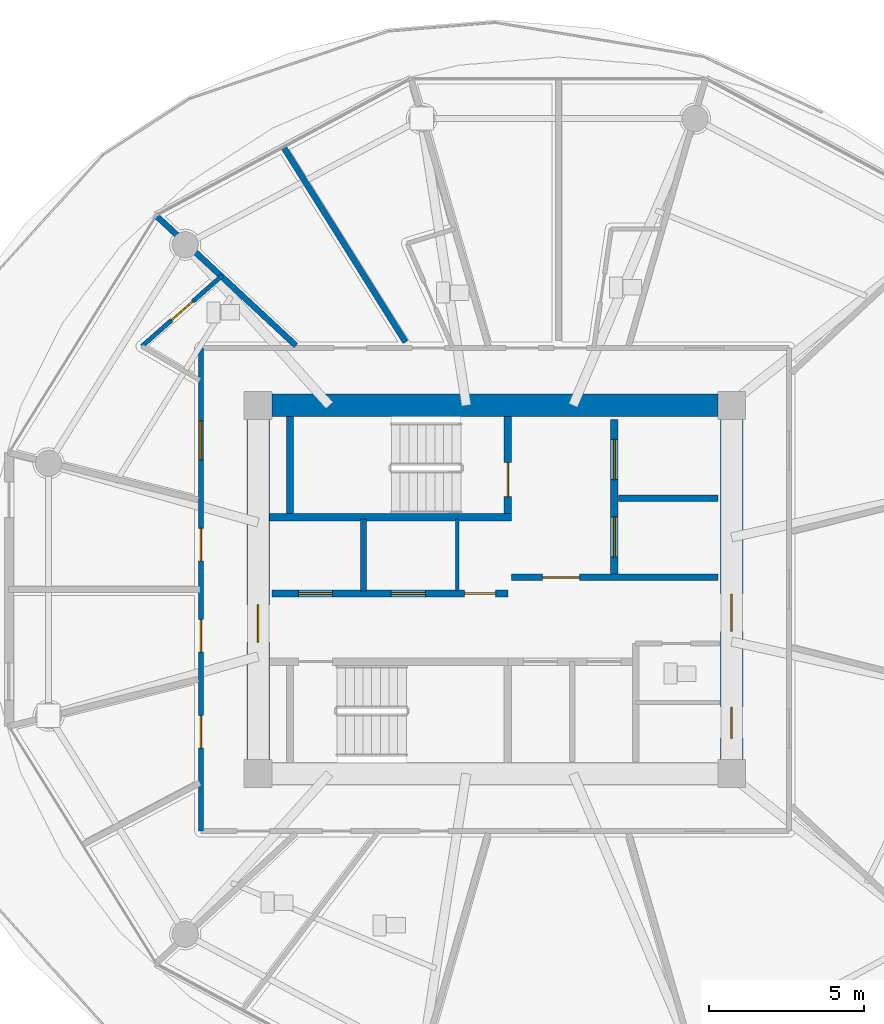
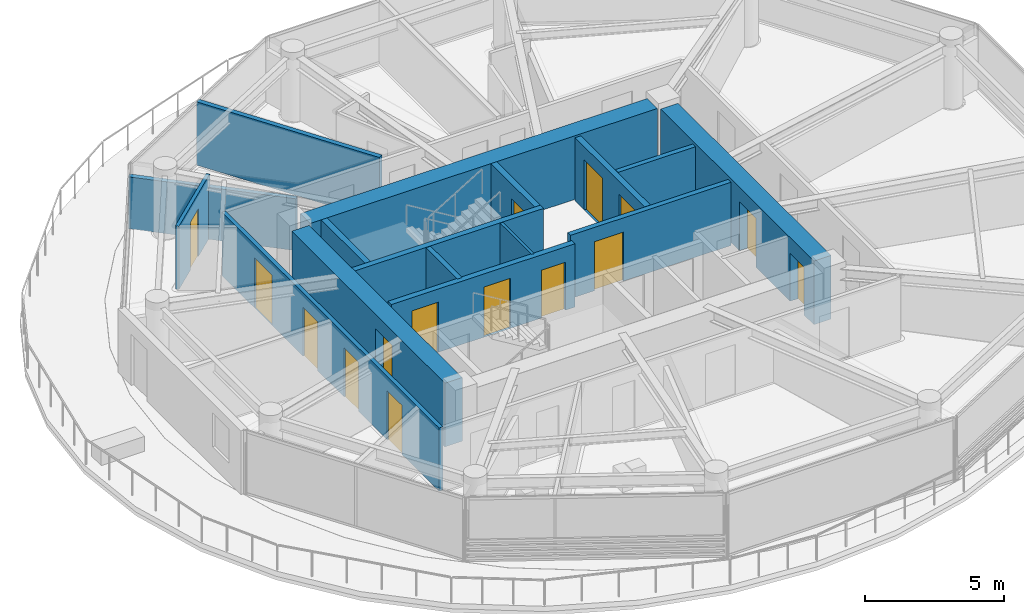
# One storey, part 16 of 32: 16 walls, 15 doors, 15 openings.
"""IFC4 building model written with IfcOpenShell, lengths in metres."""

from ifc_helpers import new_model, si_unit, direction, frame, frame_2d, origin, place, context, subcontext, project, spatial, rectangle, extrude, source, transform, mapped, material, layer, layer_set, type_object, type_shapes, element, fill, save


model = new_model("IFC4")

# Units and contexts
model_context = context("Model", 3, precision=1e-05, world=origin(), true_north=direction((0.0, 1.0)))
body_context = subcontext(model_context, "Body", "Model", "MODEL_VIEW")
ifc_project = project(units=[si_unit("LENGTHUNIT", "METRE"), si_unit("AREAUNIT", "SQUARE_METRE"), si_unit("VOLUMEUNIT", "CUBIC_METRE"), si_unit("PLANEANGLEUNIT", "RADIAN"), si_unit("MASSUNIT", "GRAM", prefix="KILO")], contexts=[model_context])

# Site, building, storey
site_placement = place(None, origin())
site = spatial("IfcSite", under=ifc_project, at=site_placement, CompositionType="ELEMENT")
building_placement = place(site_placement, origin())
building = spatial("IfcBuilding", under=site, at=building_placement, Name="Norrkilde Senior Care Towers", CompositionType="ELEMENT")
storey_placement = place(building_placement, frame((0.0, 0.0, 77.949951171875)))
storey = spatial("IfcBuildingStorey", under=building, at=storey_placement, Name="L23", CompositionType="ELEMENT", Elevation=77.949951171875)

# Wall
ifc_material_1 = material(Name="Concrete C60/75", Category="concrete")
ifc_layer_1 = layer(ifc_material_1, 0.719970703125)
ifc_layer_set_1 = layer_set([ifc_layer_1], Name="Concrete C60/75")
wall_type_1 = type_object("IfcWallType", Name="Core Shear Wall Z2 720", PredefinedType="SHEAR", material=ifc_layer_set_1)
shared_shape_1 = source(origin(), body_context, "Body", "SweptSolid", [
    extrude(rectangle(XDim=14.39990234375, YDim=0.719970703125, at=frame_2d((7.199951171875, 0.0))), origin(), (0.0, 0.0, 1.0), 2.7900390625),
])
wall_1_placement = place(storey_placement, frame((-35.199951171875, 5.949951171875, 0.0), z_axis=(0.0, 0.0, 1.0), x_axis=(1.0, 0.0, 0.0)))
element("IfcWall", 1, at=wall_1_placement, inside=storey, type_object=wall_type_1, Name="L23 Core W North Shear Wall", PredefinedType="SHEAR", context=body_context, shape_type="MappedRepresentation", body=[
    mapped(shared_shape_1, transform((0.0, 0.0, 0.0), x_axis=(1.0, 0.0, 0.0), y_axis=(0.0, 1.0, 0.0), z_axis=(0.0, 0.0, 1.0), scale=1.0)),
])

# Wall, opening, door
shared_shape_2 = source(origin(), body_context, "Body", "SweptSolid", [
    extrude(rectangle(XDim=11.0, YDim=0.719970703125, at=frame_2d((5.5, 0.0))), origin(), (0.0, 0.0, 1.0), 2.7900390625),
])
type_shapes(wall_type_1, [shared_shape_1, shared_shape_2])
wall_2_placement = place(storey_placement, frame((-35.64990234375, -5.5, 0.0), z_axis=(0.0, 0.0, 1.0), x_axis=(0.0, 1.0, 0.0)))
wall_2 = element("IfcWall", 2, at=wall_2_placement, inside=storey, type_object=wall_type_1, Name="L23 Core W West Shear Wall", PredefinedType="SHEAR", context=body_context, shape_type="MappedRepresentation", body=[
    mapped(shared_shape_2, transform((0.0, 0.0, 0.0), x_axis=(1.0, 0.0, 0.0), y_axis=(0.0, 1.0, 0.0), z_axis=(0.0, 0.0, 1.0), scale=1.0)),
])
opening_1_placement = place(wall_2_placement, frame((3.800048828125, 0.0, 0.0)))
opening_1 = element("IfcOpeningElement", 3, at=opening_1_placement, cuts=wall_2, Name="Opening D-04", PredefinedType="OPENING", context=body_context, shape_type="SweptSolid", body=[
    extrude(rectangle(XDim=1.199951171875, YDim=2.14990234375, at=frame_2d((0.60009765625, 1.074951171875))), frame((0.0, 0.369873046875, 0.0), z_axis=(0.0, -1.0, 0.0), x_axis=(1.0, 0.0, 0.0)), (0.0, 0.0, 1.0), 0.739990234375),
])
ifc_material_2 = material(Name="Galvanised Painted Steel", Category="steel")
door_type_1 = type_object("IfcDoorType", Name="Firefighting Lobby Fire Door 1200x2150", OperationType="NOTDEFINED", PredefinedType="DOOR", material=ifc_material_2)
shared_shape_3 = source(origin(), body_context, "Body", "SweptSolid", [
    extrude(rectangle(XDim=1.199951171875, YDim=2.14990234375, at=frame_2d((0.60009765625, 1.074951171875))), frame((0.0, 0.02490234375, 0.0), z_axis=(0.0, -1.0, 0.0), x_axis=(1.0, 0.0, 0.0)), (0.0, 0.0, 1.0), 0.050048828125),
])
type_shapes(door_type_1, [shared_shape_3])
door_1_placement = place(opening_1_placement, frame((1.199951171875, 0.0, 0.0), z_axis=(0.0, 0.0, 1.0), x_axis=(-1.0, 0.0, 0.0)))
door_1 = element("IfcDoor", 4, at=door_1_placement, inside=storey, type_object=door_type_1, Name="L23 Core W West Portal Door", OperationType="SINGLE_SWING_LEFT", OverallHeight=2.14990234375, OverallWidth=1.199951171875, PredefinedType="DOOR", context=body_context, shape_type="MappedRepresentation", body=[
    mapped(shared_shape_3, transform((0.0, 0.0, 0.0), x_axis=(1.0, 0.0, 0.0), y_axis=(0.0, 1.0, 0.0), z_axis=(0.0, 0.0, 1.0), scale=1.0)),
])
fill(opening_1, door_1)

# Wall, openings, doors
wall_3_placement = place(storey_placement, frame((-20.35009765625, 5.5, 0.0), z_axis=(0.0, 0.0, 1.0), x_axis=(0.0, -1.0, 0.0)))
wall_3 = element("IfcWall", 5, at=wall_3_placement, inside=storey, type_object=wall_type_1, Name="L23 Core W East Shear Wall", PredefinedType="SHEAR", context=body_context, shape_type="MappedRepresentation", body=[
    mapped(shared_shape_2, transform((0.0, 0.0, 0.0), x_axis=(1.0, 0.0, 0.0), y_axis=(0.0, 1.0, 0.0), z_axis=(0.0, 0.0, 1.0), scale=1.0)),
])
opening_2_placement = place(wall_3_placement, frame((5.64990234375, 0.0, 0.0)))
opening_2 = element("IfcOpeningElement", 6, at=opening_2_placement, cuts=wall_3, Name="Opening D-04", PredefinedType="OPENING", context=body_context, shape_type="SweptSolid", body=[
    extrude(rectangle(XDim=1.199951171875, YDim=2.14990234375, at=frame_2d((0.60009765625, 1.074951171875))), frame((0.0, 0.369873046875, 0.0), z_axis=(0.0, -1.0, 0.0), x_axis=(1.0, 0.0, 0.0)), (0.0, 0.0, 1.0), 0.739990234375),
])
opening_3_placement = place(wall_3_placement, frame((9.300048828125, 0.0, 0.0)))
opening_3 = element("IfcOpeningElement", 7, at=opening_3_placement, cuts=wall_3, Name="Opening D-10", PredefinedType="OPENING", context=body_context, shape_type="SweptSolid", body=[
    extrude(rectangle(XDim=1.0, YDim=2.10009765625, at=frame_2d((0.5, 1.050048828125))), frame((0.0, 0.369873046875, 0.0), z_axis=(0.0, -1.0, 0.0), x_axis=(1.0, 0.0, 0.0)), (0.0, 0.0, 1.0), 0.739990234375),
])
door_2_placement = place(opening_2_placement, frame((1.199951171875, 0.0, 0.0), z_axis=(0.0, 0.0, 1.0), x_axis=(-1.0, 0.0, 0.0)))
door_2 = element("IfcDoor", 8, at=door_2_placement, inside=storey, type_object=door_type_1, Name="L23 Core W East Portal Door", OperationType="SINGLE_SWING_RIGHT", OverallHeight=2.14990234375, OverallWidth=1.199951171875, PredefinedType="DOOR", context=body_context, shape_type="MappedRepresentation", body=[
    mapped(shared_shape_3, transform((0.0, 0.0, 0.0), x_axis=(1.0, 0.0, 0.0), y_axis=(0.0, 1.0, 0.0), z_axis=(0.0, 0.0, 1.0), scale=1.0)),
])
fill(opening_2, door_2)
door_type_2 = type_object("IfcDoorType", Name="Plant and Riser Rated Door 1000x2100", OperationType="NOTDEFINED", PredefinedType="DOOR", material=ifc_material_2)
shared_shape_4 = source(origin(), body_context, "Body", "SweptSolid", [
    extrude(rectangle(XDim=1.0, YDim=2.10009765625, at=frame_2d((0.5, 1.050048828125))), frame((0.0, 0.02490234375, 0.0), z_axis=(0.0, -1.0, 0.0), x_axis=(1.0, 0.0, 0.0)), (0.0, 0.0, 1.0), 0.050048828125),
])
type_shapes(door_type_2, [shared_shape_4])
door_3_placement = place(opening_3_placement, frame((1.0, 0.0, 0.0), z_axis=(0.0, 0.0, 1.0), x_axis=(-1.0, 0.0, 0.0)))
door_3 = element("IfcDoor", 9, at=door_3_placement, inside=storey, type_object=door_type_2, Name="L23 Ventilation Riser W Door", OperationType="SINGLE_SWING_RIGHT", OverallHeight=2.10009765625, OverallWidth=1.0, PredefinedType="DOOR", context=body_context, shape_type="MappedRepresentation", body=[
    mapped(shared_shape_4, transform((0.0, 0.0, 0.0), x_axis=(1.0, 0.0, 0.0), y_axis=(0.0, 1.0, 0.0), z_axis=(0.0, 0.0, 1.0), scale=1.0)),
])
fill(opening_3, door_3)

ifc_material_3 = material(Name="Concrete C45/55", Category="concrete")
ifc_layer_2 = layer(ifc_material_3, 0.239990234375)
ifc_layer_set_2 = layer_set([ifc_layer_2], Name="Concrete C45/55")
wall_type_2 = type_object("IfcWallType", Name="Lift and Plant Rated Enclosure Partition 240", PredefinedType="PARTITIONING", material=ifc_layer_set_2)
shared_shape_5 = source(origin(), body_context, "Body", "SweptSolid", [
    extrude(rectangle(XDim=5.0, YDim=0.239990234375, at=frame_2d((2.5, 0.0))), origin(), (0.0, 0.0, 1.0), 2.775146484375),
])
wall_4_placement = place(storey_placement, frame((-24.139892578125, 0.5, 0.0), z_axis=(0.0, 0.0, 1.0), x_axis=(0.0, 1.0, 0.0)))
wall_4 = element("IfcWall", 10, at=wall_4_placement, inside=storey, type_object=wall_type_2, Name="WL-INT-L23-W-FFLE", PredefinedType="PARTITIONING", context=body_context, shape_type="MappedRepresentation", body=[
    mapped(shared_shape_5, transform((0.0, 0.0, 0.0), x_axis=(1.0, 0.0, 0.0), y_axis=(0.0, 1.0, 0.0), z_axis=(0.0, 0.0, 1.0), scale=1.0)),
])
opening_4_placement = place(wall_4_placement, frame((3.050048828125, 0.0, 0.0)))
opening_4 = element("IfcOpeningElement", 11, at=opening_4_placement, cuts=wall_4, Name="Opening LD-02", PredefinedType="OPENING", context=body_context, shape_type="SweptSolid", body=[
    extrude(rectangle(XDim=1.300048828125, YDim=2.199951171875, at=frame_2d((0.64990234375, 1.10009765625))), frame((0.0, 0.1298828125, 0.0), z_axis=(0.0, -1.0, 0.0), x_axis=(1.0, 0.0, 0.0)), (0.0, 0.0, 1.0), 0.260009765625),
])
opening_5_placement = place(wall_4_placement, frame((0.550048828125, 0.0, 0.0)))
opening_5 = element("IfcOpeningElement", 12, at=opening_5_placement, cuts=wall_4, Name="Opening LD-02", PredefinedType="OPENING", context=body_context, shape_type="SweptSolid", body=[
    extrude(rectangle(XDim=1.300048828125, YDim=2.199951171875, at=frame_2d((0.64990234375, 1.10009765625))), frame((0.0, 0.1298828125, 0.0), z_axis=(0.0, -1.0, 0.0), x_axis=(1.0, 0.0, 0.0)), (0.0, 0.0, 1.0), 0.260009765625),
])
ifc_material_4 = material(Name="Stainless Steel", Category="steel")
door_type_3 = type_object("IfcDoorType", Name="Stretcher and FFL Landing Sliding Door 1300x2200", OperationType="NOTDEFINED", PredefinedType="DOOR", material=ifc_material_4)
shared_shape_6 = source(origin(), body_context, "Body", "SweptSolid", [
    extrude(rectangle(XDim=1.300048828125, YDim=2.199951171875, at=frame_2d((0.64990234375, 1.10009765625))), frame((0.0, 0.02490234375, 0.0), z_axis=(0.0, -1.0, 0.0), x_axis=(1.0, 0.0, 0.0)), (0.0, 0.0, 1.0), 0.050048828125),
])
type_shapes(door_type_3, [shared_shape_6])
door_4_placement = place(opening_4_placement, origin())
door_4 = element("IfcDoor", 13, at=door_4_placement, inside=storey, type_object=door_type_3, Name="L23 Firefighting Lift W1 Landing Door", OperationType="SLIDING_TO_LEFT", OverallHeight=2.199951171875, OverallWidth=1.300048828125, PredefinedType="DOOR", context=body_context, shape_type="MappedRepresentation", body=[
    mapped(shared_shape_6, transform((0.0, 0.0, 0.0), x_axis=(1.0, 0.0, 0.0), y_axis=(0.0, 1.0, 0.0), z_axis=(0.0, 0.0, 1.0), scale=1.0)),
])
fill(opening_4, door_4)
door_5_placement = place(opening_5_placement, origin())
door_5 = element("IfcDoor", 14, at=door_5_placement, inside=storey, type_object=door_type_3, Name="L23 Stretcher Lift W1 Landing Door", OperationType="SLIDING_TO_RIGHT", OverallHeight=2.199951171875, OverallWidth=1.300048828125, PredefinedType="DOOR", context=body_context, shape_type="MappedRepresentation", body=[
    mapped(shared_shape_6, transform((0.0, 0.0, 0.0), x_axis=(1.0, 0.0, 0.0), y_axis=(0.0, 1.0, 0.0), z_axis=(0.0, 0.0, 1.0), scale=1.0)),
])
fill(opening_5, door_5)

# Wall
ifc_layer_3 = layer(ifc_material_3, 0.199951171875)
ifc_layer_set_3 = layer_set([ifc_layer_3], Name="Concrete C45/55")
wall_type_3 = type_object("IfcWallType", Name="Shaft Division and Plant Partition 200", PredefinedType="PARTITIONING", material=ifc_layer_set_3)
shared_shape_7 = source(origin(), body_context, "Body", "SweptSolid", [
    extrude(rectangle(XDim=3.199951171875, YDim=0.199951171875, at=frame_2d((1.60009765625, 0.0))), origin(), (0.0, 0.0, 1.0), 2.775146484375),
])
wall_5_placement = place(storey_placement, frame((-24.0, 2.949951171875, 0.0), z_axis=(0.0, 0.0, 1.0), x_axis=(1.0, 0.0, 0.0)))
element("IfcWall", 15, at=wall_5_placement, inside=storey, type_object=wall_type_3, Name="WL-INT-L23-W-FFLDIV", PredefinedType="PARTITIONING", context=body_context, shape_type="MappedRepresentation", body=[
    mapped(shared_shape_7, transform((0.0, 0.0, 0.0), x_axis=(1.0, 0.0, 0.0), y_axis=(0.0, 1.0, 0.0), z_axis=(0.0, 0.0, 1.0), scale=1.0)),
])

# Wall, opening, door
ifc_layer_4 = layer(ifc_material_3, 0.2099609375)
ifc_layer_set_4 = layer_set([ifc_layer_4], Name="Concrete C45/55")
wall_type_4 = type_object("IfcWallType", Name="Firefighting Lobby Wall 210", PredefinedType="PARTITIONING", material=ifc_layer_set_4)
shared_shape_8 = source(origin(), body_context, "Body", "SweptSolid", [
    extrude(rectangle(XDim=6.659912109375, YDim=0.2099609375, at=frame_2d((3.330078125, 0.0))), origin(), (0.0, 0.0, 1.0), 2.775146484375),
])
type_shapes(wall_type_4, [shared_shape_8])
wall_6_placement = place(storey_placement, frame((-27.4599609375, 0.389892578125, 0.0), z_axis=(0.0, 0.0, 1.0), x_axis=(1.0, 0.0, 0.0)))
wall_6 = element("IfcWall", 16, at=wall_6_placement, inside=storey, type_object=wall_type_4, Name="WL-INT-L23-W-FFLS", PredefinedType="PARTITIONING", context=body_context, shape_type="MappedRepresentation", body=[
    mapped(shared_shape_8, transform((0.0, 0.0, 0.0), x_axis=(1.0, 0.0, 0.0), y_axis=(0.0, 1.0, 0.0), z_axis=(0.0, 0.0, 1.0), scale=1.0)),
])
opening_6_placement = place(wall_6_placement, frame((1.0, 0.0, 0.0)))
opening_6 = element("IfcOpeningElement", 17, at=opening_6_placement, cuts=wall_6, Name="Opening D-04", PredefinedType="OPENING", context=body_context, shape_type="SweptSolid", body=[
    extrude(rectangle(XDim=1.199951171875, YDim=2.14990234375, at=frame_2d((0.60009765625, 1.074951171875))), frame((0.0, 0.114990234375, 0.0), z_axis=(0.0, -1.0, 0.0), x_axis=(1.0, 0.0, 0.0)), (0.0, 0.0, 1.0), 0.22998046875),
])
door_6_placement = place(opening_6_placement, frame((1.199951171875, 0.0, 0.0), z_axis=(0.0, 0.0, 1.0), x_axis=(-1.0, 0.0, 0.0)))
door_6 = element("IfcDoor", 18, at=door_6_placement, inside=storey, type_object=door_type_1, Name="L23 Firefighting Lobby W Door", OperationType="SINGLE_SWING_LEFT", OverallHeight=2.14990234375, OverallWidth=1.199951171875, PredefinedType="DOOR", context=body_context, shape_type="MappedRepresentation", body=[
    mapped(shared_shape_3, transform((0.0, 0.0, 0.0), x_axis=(1.0, 0.0, 0.0), y_axis=(0.0, 1.0, 0.0), z_axis=(0.0, 0.0, 1.0), scale=1.0)),
])
fill(opening_6, door_6)

# Wall, openings, doors
shared_shape_9 = source(origin(), body_context, "Body", "SweptSolid", [
    extrude(rectangle(XDim=7.619873046875, YDim=0.239990234375, at=frame_2d((3.81005859375, 0.0))), origin(), (0.0, 0.0, 1.0), 2.775146484375),
])
type_shapes(wall_type_2, [shared_shape_5, shared_shape_9])
wall_7_placement = place(storey_placement, frame((-35.199951171875, -0.1298828125, 0.0), z_axis=(0.0, 0.0, 1.0), x_axis=(1.0, 0.0, 0.0)))
wall_7 = element("IfcWall", 19, at=wall_7_placement, inside=storey, type_object=wall_type_2, Name="WL-INT-L23-W-PKAS", PredefinedType="PARTITIONING", context=body_context, shape_type="MappedRepresentation", body=[
    mapped(shared_shape_9, transform((0.0, 0.0, 0.0), x_axis=(1.0, 0.0, 0.0), y_axis=(0.0, 1.0, 0.0), z_axis=(0.0, 0.0, 1.0), scale=1.0)),
])
opening_7_placement = place(wall_7_placement, frame((6.219970703125, 0.0, 0.0)))
opening_7 = element("IfcOpeningElement", 20, at=opening_7_placement, cuts=wall_7, Name="Opening D-10", PredefinedType="OPENING", context=body_context, shape_type="SweptSolid", body=[
    extrude(rectangle(XDim=1.0, YDim=2.10009765625, at=frame_2d((0.5, 1.050048828125))), frame((0.0, 0.1298828125, 0.0), z_axis=(0.0, -1.0, 0.0), x_axis=(1.0, 0.0, 0.0)), (0.0, 0.0, 1.0), 0.260009765625),
])
opening_8_placement = place(wall_7_placement, frame((0.85009765625, 0.0, 0.0)))
opening_8 = element("IfcOpeningElement", 21, at=opening_8_placement, cuts=wall_7, Name="Opening LD-01", PredefinedType="OPENING", context=body_context, shape_type="SweptSolid", body=[
    extrude(rectangle(XDim=1.10009765625, YDim=2.199951171875, at=frame_2d((0.550048828125, 1.10009765625))), frame((0.0, 0.1298828125, 0.0), z_axis=(0.0, -1.0, 0.0), x_axis=(1.0, 0.0, 0.0)), (0.0, 0.0, 1.0), 0.260009765625),
])
opening_9_placement = place(wall_7_placement, frame((3.85009765625, 0.0, 0.0)))
opening_9 = element("IfcOpeningElement", 22, at=opening_9_placement, cuts=wall_7, Name="Opening LD-01", PredefinedType="OPENING", context=body_context, shape_type="SweptSolid", body=[
    extrude(rectangle(XDim=1.10009765625, YDim=2.199951171875, at=frame_2d((0.550048828125, 1.10009765625))), frame((0.0, 0.1298828125, 0.0), z_axis=(0.0, -1.0, 0.0), x_axis=(1.0, 0.0, 0.0)), (0.0, 0.0, 1.0), 0.260009765625),
])
door_7_placement = place(opening_7_placement, frame((1.0, 0.0, 0.0), z_axis=(0.0, 0.0, 1.0), x_axis=(-1.0, 0.0, 0.0)))
door_7 = element("IfcDoor", 23, at=door_7_placement, inside=storey, type_object=door_type_2, Name="L23 Electrical Riser W Door", OperationType="SINGLE_SWING_LEFT", OverallHeight=2.10009765625, OverallWidth=1.0, PredefinedType="DOOR", context=body_context, shape_type="MappedRepresentation", body=[
    mapped(shared_shape_4, transform((0.0, 0.0, 0.0), x_axis=(1.0, 0.0, 0.0), y_axis=(0.0, 1.0, 0.0), z_axis=(0.0, 0.0, 1.0), scale=1.0)),
])
fill(opening_7, door_7)
door_type_4 = type_object("IfcDoorType", Name="Lift Landing Sliding Door 1100x2200", OperationType="NOTDEFINED", PredefinedType="DOOR", material=ifc_material_4)
shared_shape_10 = source(origin(), body_context, "Body", "SweptSolid", [
    extrude(rectangle(XDim=1.10009765625, YDim=2.199951171875, at=frame_2d((0.550048828125, 1.10009765625))), frame((0.0, 0.02490234375, 0.0), z_axis=(0.0, -1.0, 0.0), x_axis=(1.0, 0.0, 0.0)), (0.0, 0.0, 1.0), 0.050048828125),
])
type_shapes(door_type_4, [shared_shape_10])
door_8_placement = place(opening_8_placement, origin())
door_8 = element("IfcDoor", 24, at=door_8_placement, inside=storey, type_object=door_type_4, Name="L23 Passenger Lift W1 Landing Door", OperationType="SLIDING_TO_LEFT", OverallHeight=2.199951171875, OverallWidth=1.10009765625, PredefinedType="DOOR", context=body_context, shape_type="MappedRepresentation", body=[
    mapped(shared_shape_10, transform((0.0, 0.0, 0.0), x_axis=(1.0, 0.0, 0.0), y_axis=(0.0, 1.0, 0.0), z_axis=(0.0, 0.0, 1.0), scale=1.0)),
])
fill(opening_8, door_8)
door_9_placement = place(opening_9_placement, origin())
door_9 = element("IfcDoor", 25, at=door_9_placement, inside=storey, type_object=door_type_4, Name="L23 Passenger Lift W2 Landing Door", OperationType="SLIDING_TO_RIGHT", OverallHeight=2.199951171875, OverallWidth=1.10009765625, PredefinedType="DOOR", context=body_context, shape_type="MappedRepresentation", body=[
    mapped(shared_shape_10, transform((0.0, 0.0, 0.0), x_axis=(1.0, 0.0, 0.0), y_axis=(0.0, 1.0, 0.0), z_axis=(0.0, 0.0, 1.0), scale=1.0)),
])
fill(opening_9, door_9)

# Walls
ifc_material_5 = material(Name="Gypsum Acoustic Board")
ifc_layer_5 = layer(ifc_material_5, 0.114990234375)
ifc_layer_set_5 = layer_set([ifc_layer_5], Name="Gypsum Acoustic Board")
wall_type_5 = type_object("IfcWallType", Name="Internal Room Partition 115", PredefinedType="PARTITIONING", material=ifc_layer_set_5)
shared_shape_11 = source(origin(), body_context, "Body", "SweptSolid", [
    extrude(rectangle(XDim=2.330078125, YDim=0.114990234375, at=frame_2d((1.1650390625, 0.0))), origin(), (0.0, 0.0, 1.0), 2.775146484375),
])
type_shapes(wall_type_5, [shared_shape_11])
wall_8_placement = place(storey_placement, frame((-29.2099609375, -0.050048828125, 0.0), z_axis=(0.0, 0.0, 1.0), x_axis=(0.0, 1.0, 0.0)))
element("IfcWall", 26, at=wall_8_placement, inside=storey, type_object=wall_type_5, Name="WL-INT-L23-W-RISW", PredefinedType="PARTITIONING", context=body_context, shape_type="MappedRepresentation", body=[
    mapped(shared_shape_11, transform((0.0, 0.0, 0.0), x_axis=(1.0, 0.0, 0.0), y_axis=(0.0, 1.0, 0.0), z_axis=(0.0, 0.0, 1.0), scale=1.0)),
])
shared_shape_12 = source(origin(), body_context, "Body", "SweptSolid", [
    extrude(rectangle(XDim=2.330078125, YDim=0.199951171875, at=frame_2d((1.1650390625, 0.0))), origin(), (0.0, 0.0, 1.0), 2.775146484375),
])
type_shapes(wall_type_3, [shared_shape_7, shared_shape_12])
wall_9_placement = place(storey_placement, frame((-32.25, -0.050048828125, 0.0), z_axis=(0.0, 0.0, 1.0), x_axis=(0.0, 1.0, 0.0)))
element("IfcWall", 27, at=wall_9_placement, inside=storey, type_object=wall_type_3, Name="WL-INT-L23-W-PL12", PredefinedType="PARTITIONING", context=body_context, shape_type="MappedRepresentation", body=[
    mapped(shared_shape_12, transform((0.0, 0.0, 0.0), x_axis=(1.0, 0.0, 0.0), y_axis=(0.0, 1.0, 0.0), z_axis=(0.0, 0.0, 1.0), scale=1.0)),
])

# Wall, openings, doors
ifc_layer_6 = layer(ifc_material_5, 0.1650390625)
ifc_layer_set_6 = layer_set([ifc_layer_6], Name="Gypsum Acoustic Board")
wall_type_6 = type_object("IfcWallType", Name="Corridor Rated Partition 165", PredefinedType="PARTITIONING", material=ifc_layer_set_6)
shared_shape_13 = source(origin(), body_context, "Body", "SweptSolid", [
    extrude(rectangle(XDim=15.60009765625, YDim=0.1650390625, at=frame_2d((7.800048828125, 0.0))), origin(), (0.0, 0.0, 1.0), 2.775146484375),
])
type_shapes(wall_type_6, [shared_shape_13])
wall_10_placement = place(storey_placement, frame((-37.5, -7.800048828125, 0.0), z_axis=(0.0, 0.0, 1.0), x_axis=(0.0, 1.0, 0.0)))
wall_10 = element("IfcWall", 28, at=wall_10_placement, inside=storey, type_object=wall_type_6, Name="WL-INT-L23-W-CRW-W-0", PredefinedType="PARTITIONING", context=body_context, shape_type="MappedRepresentation", body=[
    mapped(shared_shape_13, transform((0.0, 0.0, 0.0), x_axis=(1.0, 0.0, 0.0), y_axis=(0.0, 1.0, 0.0), z_axis=(0.0, 0.0, 1.0), scale=1.0)),
])
opening_10_placement = place(wall_10_placement, frame((11.994140625, 0.0, 0.0)))
opening_10 = element("IfcOpeningElement", 29, at=opening_10_placement, cuts=wall_10, Name="Opening D-05", PredefinedType="OPENING", context=body_context, shape_type="SweptSolid", body=[
    extrude(rectangle(XDim=1.25, YDim=2.199951171875, at=frame_2d((0.625, 1.10009765625))), frame((0.0, 0.092529296875, 0.0), z_axis=(0.0, -1.0, 0.0), x_axis=(1.0, 0.0, 0.0)), (0.0, 0.0, 1.0), 0.18505859375),
])
opening_11_placement = place(wall_10_placement, frame((8.722900390625, 0.0, 0.0)))
opening_11 = element("IfcOpeningElement", 30, at=opening_11_placement, cuts=wall_10, Name="Opening D-06", PredefinedType="OPENING", context=body_context, shape_type="SweptSolid", body=[
    extrude(rectangle(XDim=1.050048828125, YDim=2.14990234375, at=frame_2d((0.52490234375, 1.074951171875))), frame((0.0, 0.092529296875, 0.0), z_axis=(0.0, -1.0, 0.0), x_axis=(1.0, 0.0, 0.0)), (0.0, 0.0, 1.0), 0.18505859375),
])
opening_12_placement = place(wall_10_placement, frame((5.776611328125, 0.0, 0.0)))
opening_12 = element("IfcOpeningElement", 31, at=opening_12_placement, cuts=wall_10, Name="Opening D-06", PredefinedType="OPENING", context=body_context, shape_type="SweptSolid", body=[
    extrude(rectangle(XDim=1.050048828125, YDim=2.14990234375, at=frame_2d((0.52490234375, 1.074951171875))), frame((0.0, 0.092529296875, 0.0), z_axis=(0.0, -1.0, 0.0), x_axis=(1.0, 0.0, 0.0)), (0.0, 0.0, 1.0), 0.18505859375),
])
opening_13_placement = place(wall_10_placement, frame((2.67626953125, 0.0, 0.0)))
opening_13 = element("IfcOpeningElement", 32, at=opening_13_placement, cuts=wall_10, Name="Opening D-06", PredefinedType="OPENING", context=body_context, shape_type="SweptSolid", body=[
    extrude(rectangle(XDim=1.050048828125, YDim=2.14990234375, at=frame_2d((0.52490234375, 1.074951171875))), frame((0.0, 0.092529296875, 0.0), z_axis=(0.0, -1.0, 0.0), x_axis=(1.0, 0.0, 0.0)), (0.0, 0.0, 1.0), 0.18505859375),
])
ifc_material_6 = material(Name="Nordic Ash Timber", Category="wood")
door_type_5 = type_object("IfcDoorType", Name="Care Bedroom Bariatric Door 1250x2200", OperationType="NOTDEFINED", PredefinedType="DOOR", material=ifc_material_6)
shared_shape_14 = source(origin(), body_context, "Body", "SweptSolid", [
    extrude(rectangle(XDim=1.25, YDim=2.199951171875, at=frame_2d((0.625, 1.10009765625))), frame((0.0, 0.02490234375, 0.0), z_axis=(0.0, -1.0, 0.0), x_axis=(1.0, 0.0, 0.0)), (0.0, 0.0, 1.0), 0.050048828125),
])
type_shapes(door_type_5, [shared_shape_14])
door_10_placement = place(opening_10_placement, frame((1.25, 0.0, 0.0), z_axis=(0.0, 0.0, 1.0), x_axis=(-1.0, 0.0, 0.0)))
door_10 = element("IfcDoor", 33, at=door_10_placement, inside=storey, type_object=door_type_5, Name="L23 Care Suite 2304 Entrance Door", OperationType="SINGLE_SWING_RIGHT", OverallHeight=2.199951171875, OverallWidth=1.25, PredefinedType="DOOR", context=body_context, shape_type="MappedRepresentation", body=[
    mapped(shared_shape_14, transform((0.0, 0.0, 0.0), x_axis=(1.0, 0.0, 0.0), y_axis=(0.0, 1.0, 0.0), z_axis=(0.0, 0.0, 1.0), scale=1.0)),
])
fill(opening_10, door_10)
door_type_6 = type_object("IfcDoorType", Name="Apartment Entrance Fire Door 1050x2150", OperationType="NOTDEFINED", PredefinedType="DOOR", material=ifc_material_6)
shared_shape_15 = source(origin(), body_context, "Body", "SweptSolid", [
    extrude(rectangle(XDim=1.050048828125, YDim=2.14990234375, at=frame_2d((0.52490234375, 1.074951171875))), frame((0.0, 0.02490234375, 0.0), z_axis=(0.0, -1.0, 0.0), x_axis=(1.0, 0.0, 0.0)), (0.0, 0.0, 1.0), 0.050048828125),
])
type_shapes(door_type_6, [shared_shape_15])
door_11_placement = place(opening_11_placement, frame((1.050048828125, 0.0, 0.0), z_axis=(0.0, 0.0, 1.0), x_axis=(-1.0, 0.0, 0.0)))
door_11 = element("IfcDoor", 34, at=door_11_placement, inside=storey, type_object=door_type_6, Name="L23 Physiotherapy Clinic 5A Door", OperationType="SINGLE_SWING_RIGHT", OverallHeight=2.14990234375, OverallWidth=1.050048828125, PredefinedType="DOOR", context=body_context, shape_type="MappedRepresentation", body=[
    mapped(shared_shape_15, transform((0.0, 0.0, 0.0), x_axis=(1.0, 0.0, 0.0), y_axis=(0.0, 1.0, 0.0), z_axis=(0.0, 0.0, 1.0), scale=1.0)),
])
fill(opening_11, door_11)
door_12_placement = place(opening_12_placement, frame((1.050048828125, 0.0, 0.0), z_axis=(0.0, 0.0, 1.0), x_axis=(-1.0, 0.0, 0.0)))
door_12 = element("IfcDoor", 35, at=door_12_placement, inside=storey, type_object=door_type_6, Name="L23 Assessment Clinic 5B Door", OperationType="SINGLE_SWING_LEFT", OverallHeight=2.14990234375, OverallWidth=1.050048828125, PredefinedType="DOOR", context=body_context, shape_type="MappedRepresentation", body=[
    mapped(shared_shape_15, transform((0.0, 0.0, 0.0), x_axis=(1.0, 0.0, 0.0), y_axis=(0.0, 1.0, 0.0), z_axis=(0.0, 0.0, 1.0), scale=1.0)),
])
fill(opening_12, door_12)
door_13_placement = place(opening_13_placement, frame((1.050048828125, 0.0, 0.0), z_axis=(0.0, 0.0, 1.0), x_axis=(-1.0, 0.0, 0.0)))
door_13 = element("IfcDoor", 36, at=door_13_placement, inside=storey, type_object=door_type_6, Name="L23 Physiotherapy Clinic 6A Door", OperationType="SINGLE_SWING_LEFT", OverallHeight=2.14990234375, OverallWidth=1.050048828125, PredefinedType="DOOR", context=body_context, shape_type="MappedRepresentation", body=[
    mapped(shared_shape_15, transform((0.0, 0.0, 0.0), x_axis=(1.0, 0.0, 0.0), y_axis=(0.0, 1.0, 0.0), z_axis=(0.0, 0.0, 1.0), scale=1.0)),
])
fill(opening_13, door_13)

# Walls
ifc_layer_7 = layer(ifc_material_3, 0.239990234375)
ifc_layer_set_7 = layer_set([ifc_layer_7], Name="Concrete C45/55")
wall_type_7 = type_object("IfcWallType", Name="Shaft and Stair Enclosure Wall 240", PredefinedType="PARTITIONING", material=ifc_layer_set_7)
shared_shape_16 = source(origin(), body_context, "Body", "SweptSolid", [
    extrude(rectangle(XDim=7.830078125, YDim=0.239990234375, at=frame_2d((3.9150390625, 0.0))), origin(), (0.0, 0.0, 1.0), 2.7900390625),
])
wall_11_placement = place(storey_placement, frame((-35.2900390625, 2.330078125, 0.0), z_axis=(0.0, 0.0, 1.0), x_axis=(1.0, 0.0, 0.0)))
element("IfcWall", 37, at=wall_11_placement, inside=storey, type_object=wall_type_7, Name="WL-INT-L23-W-ST1S", PredefinedType="PARTITIONING", context=body_context, shape_type="MappedRepresentation", body=[
    mapped(shared_shape_16, transform((0.0, 0.0, 0.0), x_axis=(1.0, 0.0, 0.0), y_axis=(0.0, 1.0, 0.0), z_axis=(0.0, 0.0, 1.0), scale=1.0)),
])
shared_shape_17 = source(origin(), body_context, "Body", "SweptSolid", [
    extrude(rectangle(XDim=3.14013671875, YDim=0.239990234375, at=frame_2d((1.570068359375, 0.0))), origin(), (0.0, 0.0, 1.0), 2.7900390625),
])
type_shapes(wall_type_7, [shared_shape_16, shared_shape_17])
wall_12_placement = place(storey_placement, frame((-34.6201171875, 2.449951171875, 0.0), z_axis=(0.0, 0.0, 1.0), x_axis=(0.0, 1.0, 0.0)))
element("IfcWall", 38, at=wall_12_placement, inside=storey, type_object=wall_type_7, Name="WL-INT-L23-W-ST1W", PredefinedType="PARTITIONING", context=body_context, shape_type="MappedRepresentation", body=[
    mapped(shared_shape_17, transform((0.0, 0.0, 0.0), x_axis=(1.0, 0.0, 0.0), y_axis=(0.0, 1.0, 0.0), z_axis=(0.0, 0.0, 1.0), scale=1.0)),
])

# Wall, opening, door
wall_13_placement = place(storey_placement, frame((-27.580078125, 2.449951171875, 0.0), z_axis=(0.0, 0.0, 1.0), x_axis=(0.0, 1.0, 0.0)))
wall_13 = element("IfcWall", 39, at=wall_13_placement, inside=storey, type_object=wall_type_7, Name="WL-INT-L23-W-ST1E", PredefinedType="PARTITIONING", context=body_context, shape_type="MappedRepresentation", body=[
    mapped(shared_shape_17, transform((0.0, 0.0, 0.0), x_axis=(1.0, 0.0, 0.0), y_axis=(0.0, 1.0, 0.0), z_axis=(0.0, 0.0, 1.0), scale=1.0)),
])
opening_14_placement = place(wall_13_placement, frame((0.550048828125, 0.0, 0.0)))
opening_14 = element("IfcOpeningElement", 40, at=opening_14_placement, cuts=wall_13, Name="Opening D-03", PredefinedType="OPENING", context=body_context, shape_type="SweptSolid", body=[
    extrude(rectangle(XDim=1.10009765625, YDim=2.14990234375, at=frame_2d((0.550048828125, 1.074951171875))), frame((0.0, 0.1298828125, 0.0), z_axis=(0.0, -1.0, 0.0), x_axis=(1.0, 0.0, 0.0)), (0.0, 0.0, 1.0), 0.260009765625),
])
door_type_7 = type_object("IfcDoorType", Name="Stairwell Protected Fire Door 1100x2150", OperationType="NOTDEFINED", PredefinedType="DOOR", material=ifc_material_2)
shared_shape_18 = source(origin(), body_context, "Body", "SweptSolid", [
    extrude(rectangle(XDim=1.10009765625, YDim=2.14990234375, at=frame_2d((0.550048828125, 1.074951171875))), frame((0.0, 0.02490234375, 0.0), z_axis=(0.0, -1.0, 0.0), x_axis=(1.0, 0.0, 0.0)), (0.0, 0.0, 1.0), 0.050048828125),
])
type_shapes(door_type_7, [shared_shape_18])
door_14_placement = place(opening_14_placement, origin())
door_14 = element("IfcDoor", 41, at=door_14_placement, inside=storey, type_object=door_type_7, Name="L23 Stair W1 Fire Door", OperationType="SINGLE_SWING_LEFT", OverallHeight=2.14990234375, OverallWidth=1.10009765625, PredefinedType="DOOR", context=body_context, shape_type="MappedRepresentation", body=[
    mapped(shared_shape_18, transform((0.0, 0.0, 0.0), x_axis=(1.0, 0.0, 0.0), y_axis=(0.0, 1.0, 0.0), z_axis=(0.0, 0.0, 1.0), scale=1.0)),
])
fill(opening_14, door_14)

# Walls
ifc_layer_8 = layer(ifc_material_5, 0.18994140625)
ifc_layer_set_8 = layer_set([ifc_layer_8], Name="Gypsum Acoustic Board")
wall_type_8 = type_object("IfcWallType", Name="Unit Demising Acoustic Wall 190", PredefinedType="PARTITIONING", material=ifc_layer_set_8)
shared_shape_19 = source(origin(), body_context, "Body", "SweptSolid", [
    extrude(rectangle(XDim=6.186767578125, YDim=0.18994140625, at=frame_2d((3.09326171875, 0.0))), origin(), (0.0, 0.0, 1.0), 2.275146484375),
])
wall_14_placement = place(storey_placement, frame((-34.428955078125, 7.8798828125, 0.0), z_axis=(0.0, 0.0, 1.0), x_axis=(-0.732501077882, 0.680765870841, 0.0)))
element("IfcWall", 42, at=wall_14_placement, inside=storey, type_object=wall_type_8, Name="WL-INT-L23-W-DEM-04-0", PredefinedType="PARTITIONING", context=body_context, shape_type="MappedRepresentation", body=[
    mapped(shared_shape_19, transform((0.0, 0.0, 0.0), x_axis=(1.0, 0.0, 0.0), y_axis=(0.0, 1.0, 0.0), z_axis=(0.0, 0.0, 1.0), scale=1.0)),
])
shared_shape_20 = source(origin(), body_context, "Body", "SweptSolid", [
    extrude(rectangle(XDim=7.445556640625, YDim=0.18994140625, at=frame_2d((3.72265625, 0.0))), origin(), (0.0, 0.0, 1.0), 2.775146484375),
])
type_shapes(wall_type_8, [shared_shape_19, shared_shape_20])
wall_15_placement = place(storey_placement, frame((-30.887939453125, 7.9921875, 0.0), z_axis=(0.0, 0.0, 1.0), x_axis=(-0.530320174828, 0.847797447608, 0.0)))
element("IfcWall", 43, at=wall_15_placement, inside=storey, type_object=wall_type_8, Name="WL-INT-L23-W-CMID-03", PredefinedType="PARTITIONING", context=body_context, shape_type="MappedRepresentation", body=[
    mapped(shared_shape_20, transform((0.0, 0.0, 0.0), x_axis=(1.0, 0.0, 0.0), y_axis=(0.0, 1.0, 0.0), z_axis=(0.0, 0.0, 1.0), scale=1.0)),
])

# Wall, opening, door
ifc_layer_9 = layer(ifc_material_5, 0.139892578125)
ifc_layer_set_9 = layer_set([ifc_layer_9], Name="Gypsum Acoustic Board")
wall_type_9 = type_object("IfcWallType", Name="En-suite Wet Room Wall 140", PredefinedType="PARTITIONING", material=ifc_layer_set_9)
shared_shape_21 = source(origin(), body_context, "Body", "SweptSolid", [
    extrude(rectangle(XDim=3.46240234375, YDim=0.139892578125, at=frame_2d((1.731201171875, 0.0))), origin(), (0.0, 0.0, 1.0), 2.775146484375),
])
type_shapes(wall_type_9, [shared_shape_21])
wall_16_placement = place(storey_placement, frame((-39.4052734375, 7.85693359375, 0.0), z_axis=(0.0, 0.0, 1.0), x_axis=(0.75036232563, 0.661026762148, 0.0)))
wall_16 = element("IfcWall", 44, at=wall_16_placement, inside=storey, type_object=wall_type_9, Name="WL-INT-L23-W-EF-04", PredefinedType="PARTITIONING", context=body_context, shape_type="MappedRepresentation", body=[
    mapped(shared_shape_21, transform((0.0, 0.0, 0.0), x_axis=(1.0, 0.0, 0.0), y_axis=(0.0, 1.0, 0.0), z_axis=(0.0, 0.0, 1.0), scale=1.0)),
])
opening_15_placement = place(wall_16_placement, frame((1.271240234375, 0.0, 0.0)))
opening_15 = element("IfcOpeningElement", 45, at=opening_15_placement, cuts=wall_16, Name="Opening D-08", PredefinedType="OPENING", context=body_context, shape_type="SweptSolid", body=[
    extrude(rectangle(XDim=0.919921875, YDim=2.10009765625, at=frame_2d((0.4599609375, 1.050048828125))), frame((0.0, 0.079833984375, 0.0), z_axis=(0.0, -1.0, 0.0), x_axis=(1.0, 0.0, 0.0)), (0.0, 0.0, 1.0), 0.159912109375),
])
door_type_8 = type_object("IfcDoorType", Name="Accessible Wet Room Door 920x2100", OperationType="NOTDEFINED", PredefinedType="DOOR", material=ifc_material_6)
shared_shape_22 = source(origin(), body_context, "Body", "SweptSolid", [
    extrude(rectangle(XDim=0.919921875, YDim=2.10009765625, at=frame_2d((0.4599609375, 1.050048828125))), frame((0.0, 0.02490234375, 0.0), z_axis=(0.0, -1.0, 0.0), x_axis=(1.0, 0.0, 0.0)), (0.0, 0.0, 1.0), 0.050048828125),
])
type_shapes(door_type_8, [shared_shape_22])
door_15_placement = place(opening_15_placement, origin())
door_15 = element("IfcDoor", 46, at=door_15_placement, inside=storey, type_object=door_type_8, Name="L23 Care Suite 2304 Bathroom Door", OperationType="SINGLE_SWING_LEFT", OverallHeight=2.10009765625, OverallWidth=0.919921875, PredefinedType="DOOR", context=body_context, shape_type="MappedRepresentation", body=[
    mapped(shared_shape_22, transform((0.0, 0.0, 0.0), x_axis=(1.0, 0.0, 0.0), y_axis=(0.0, 1.0, 0.0), z_axis=(0.0, 0.0, 1.0), scale=1.0)),
])
fill(opening_15, door_15)

save(model, "model.ifc")
